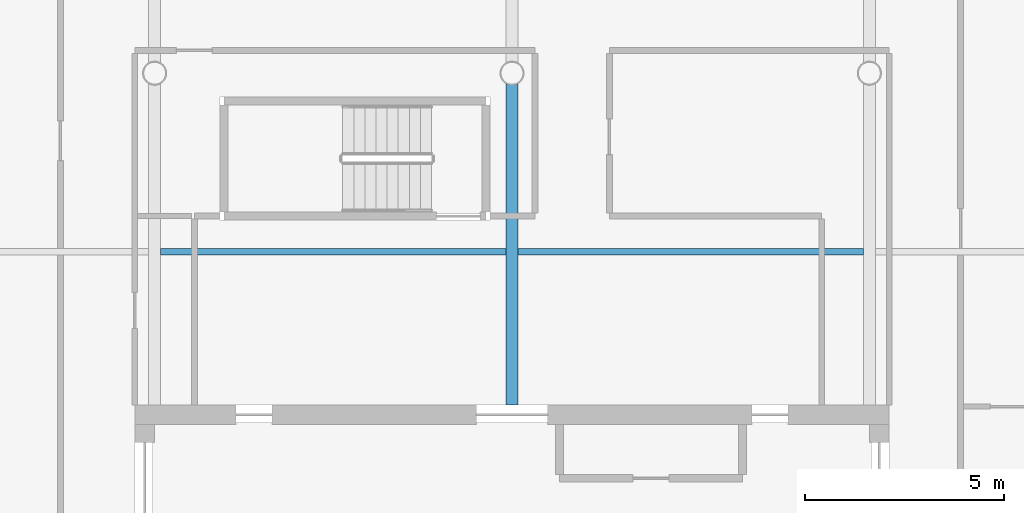
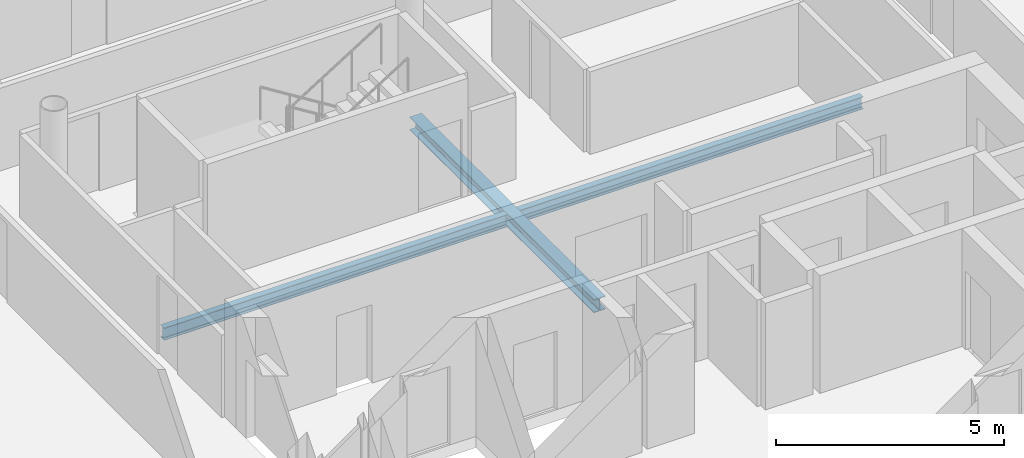
# One storey, part 7 of 20: 3 beams.
"""IFC4 building model written with IfcOpenShell, lengths in metres."""

from ifc_helpers import new_model, si_unit, direction, frame, origin, origin_2d, place, context, subcontext, project, spatial, i_section, extrude, material, material_profile, profile_set, type_object, element, save


model = new_model("IFC4")

# Units and contexts
model_context = context("Model", 3, precision=1e-05, world=origin(), true_north=direction((0.0, 1.0)))
body_context = subcontext(model_context, "Body", "Model", "MODEL_VIEW")
ifc_project = project(units=[si_unit("LENGTHUNIT", "METRE"), si_unit("AREAUNIT", "SQUARE_METRE"), si_unit("VOLUMEUNIT", "CUBIC_METRE"), si_unit("PLANEANGLEUNIT", "RADIAN"), si_unit("MASSUNIT", "GRAM", prefix="KILO")], contexts=[model_context])

# Site, building, storey
site_placement = place(None, origin())
site = spatial("IfcSite", under=ifc_project, at=site_placement, CompositionType="ELEMENT")
building_placement = place(site_placement, origin())
building = spatial("IfcBuilding", under=site, at=building_placement, Name="Tskaro Facet Tower", CompositionType="ELEMENT")
storey_placement = place(building_placement, frame((0.0, 0.0, 197.39990234375)))
storey = spatial("IfcBuildingStorey", under=building, at=storey_placement, Name="L50", CompositionType="ELEMENT", Elevation=197.39990234375)

# Beams
ifc_material = material(Name="Steel S355J2", Category="steel")
ifc_material_profile_1 = material_profile(ifc_material, i_section(OverallWidth=0.300048828125, OverallDepth=0.35009765625, WebThickness=0.010009765625, FlangeThickness=0.017578125, FilletRadius=0.027099609375, at=origin_2d()), Name="HE 360 A")
ifc_profile_set_1 = profile_set([ifc_material_profile_1], Name="Steel S355J2")
beam_type_1 = type_object("IfcBeamType", Name="HE 360 A girder", PredefinedType="BEAM", material=ifc_profile_set_1)
beam_placement = place(storey_placement, frame((0.0, 0.64990234375, -0.31494140625), z_axis=(0.0, 1.0, 0.0), x_axis=(-1.0, 0.0, 0.0)))
element("IfcBeam", 1, at=beam_placement, inside=storey, type_object=beam_type_1, Name="HE 360 A GB4-2-4", PredefinedType="BEAM", context=body_context, shape_type="SweptSolid", body=[
    extrude(i_section(OverallWidth=0.300048828125, OverallDepth=0.35009765625, WebThickness=0.010009765625, FlangeThickness=0.017578125, FilletRadius=0.027099609375, at=origin_2d()), origin(), (0.0, 0.0, 1.0), 8.0751953125),
])
ifc_material_profile_2 = material_profile(ifc_material, i_section(OverallWidth=0.159912109375, OverallDepth=0.330078125, WebThickness=0.007568359375, FlangeThickness=0.011474609375, FilletRadius=0.01806640625, at=origin_2d()), Name="IPE 330")
ifc_profile_set_2 = profile_set([ifc_material_profile_2], Name="Steel S355J2")
beam_type_2 = type_object("IfcBeamType", Name="IPE 330 secondary beam", PredefinedType="BEAM", material=ifc_profile_set_2)
for number, where, z_axis, x_axis, name in (
    (2, (-8.85009765625, 4.5, -0.304931640625), (1.0, 0.0, 0.0), (0.0, 1.0, 0.0), "IPE 330 SB4a-3-4"),
    (3, (0.14990234375, 4.5, -0.304931640625), (1.0, 0.0, 0.0), (0.0, 1.0, 0.0), "IPE 330 SB4a-4-4"),
):
    element("IfcBeam", number, at=place(storey_placement, frame(where, z_axis=z_axis, x_axis=x_axis)), inside=storey, type_object=beam_type_2, Name=name, PredefinedType="BEAM", context=body_context, shape_type="SweptSolid", body=[
        extrude(i_section(OverallWidth=0.159912109375, OverallDepth=0.330078125, WebThickness=0.007568359375, FlangeThickness=0.011474609375, FilletRadius=0.01806640625, at=origin_2d()), origin(), (0.0, 0.0, 1.0), 8.7001953125),
    ])

save(model, "model.ifc")
